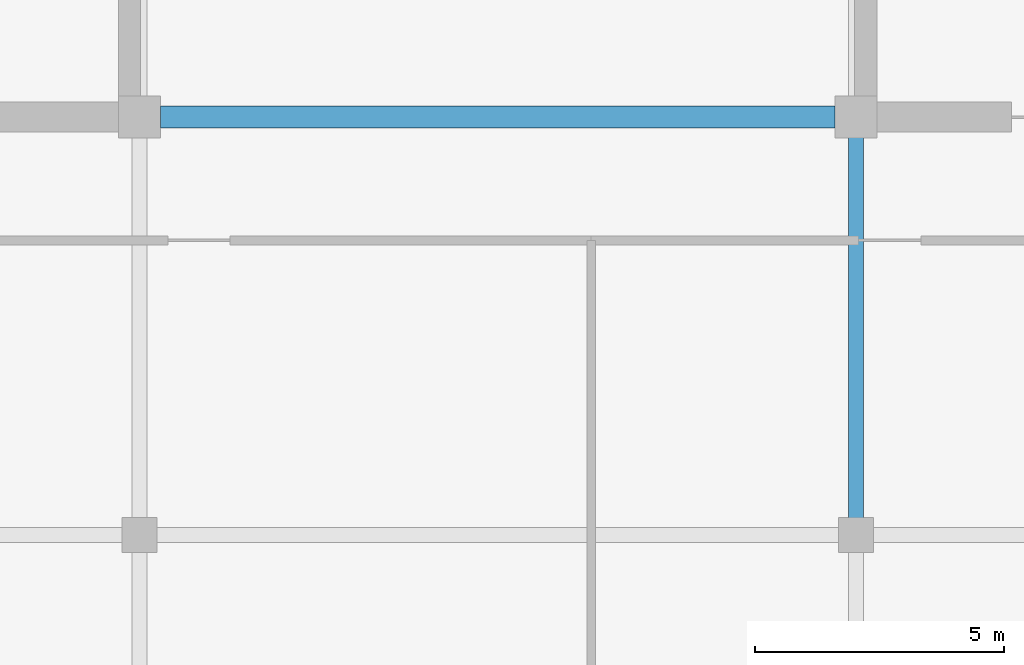
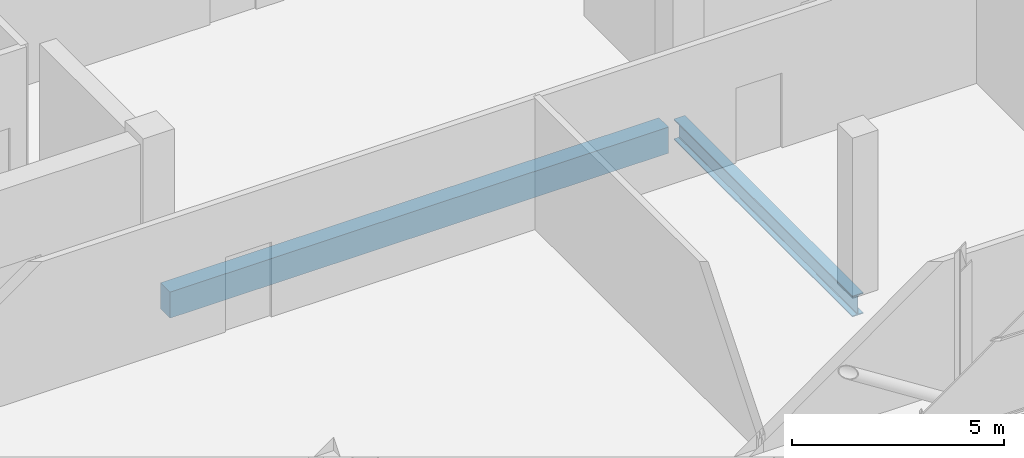
# One storey, part 10 of 26: 2 beams.
"""IFC4 building model written with IfcOpenShell, lengths in metres."""

from ifc_helpers import new_model, si_unit, direction, frame, origin, origin_2d, place, context, subcontext, project, spatial, rectangle, i_section, extrude, material, material_profile, profile_set, type_object, element, save


model = new_model("IFC4")

# Units and contexts
model_context = context("Model", 3, precision=1e-05, world=origin(), true_north=direction((0.0, 1.0)))
body_context = subcontext(model_context, "Body", "Model", "MODEL_VIEW")
ifc_project = project(units=[si_unit("LENGTHUNIT", "METRE"), si_unit("AREAUNIT", "SQUARE_METRE"), si_unit("VOLUMEUNIT", "CUBIC_METRE"), si_unit("PLANEANGLEUNIT", "RADIAN"), si_unit("MASSUNIT", "GRAM", prefix="KILO")], contexts=[model_context])

# Site, building, storey
site_placement = place(None, origin())
site = spatial("IfcSite", under=ifc_project, at=site_placement, CompositionType="ELEMENT")
building_placement = place(site_placement, origin())
building = spatial("IfcBuilding", under=site, at=building_placement, Name="Zarnakvel Exchange Tower", CompositionType="ELEMENT")
storey_placement = place(building_placement, frame((0.0, 0.0, 285.39990234375)))
storey = spatial("IfcBuildingStorey", under=building, at=storey_placement, Name="Crown L80", CompositionType="ELEMENT", Elevation=285.39990234375)

# Beams
ifc_material_1 = material(Name="Concrete C50/60", Category="concrete")
ifc_material_profile_1 = material_profile(ifc_material_1, rectangle(XDim=0.449951171875, YDim=0.75, at=origin_2d()))
ifc_profile_set_1 = profile_set([ifc_material_profile_1], Name="Concrete C50/60")
beam_type_1 = type_object("IfcBeamType", Name="CB-03", PredefinedType="LINTEL", material=ifc_profile_set_1)
beam_1_placement = place(storey_placement, frame((-6.77490234375, -1.199951171875, -0.594970703125), z_axis=(1.0, 0.0, 0.0), x_axis=(0.0, 1.0, 0.0)))
element("IfcBeam", 1, at=beam_1_placement, inside=storey, type_object=beam_type_1, Name="Crown L80 Rear Core South Coupling Beam (CB-03)", PredefinedType="LINTEL", context=body_context, shape_type="SweptSolid", body=[
    extrude(rectangle(XDim=0.449951171875, YDim=0.75, at=origin_2d()), origin(), (0.0, 0.0, 1.0), 13.5498046875),
])
ifc_material_2 = material(Name="Steel S355", Category="steel")
ifc_material_profile_2 = material_profile(ifc_material_2, i_section(OverallWidth=0.300048828125, OverallDepth=0.60009765625, WebThickness=0.015380859375, FlangeThickness=0.030029296875, FilletRadius=0.027099609375, at=origin_2d()))
ifc_profile_set_2 = profile_set([ifc_material_profile_2], Name="Steel S355")
beam_type_2 = type_object("IfcBeamType", Name="G-04", PredefinedType="BEAM", material=ifc_profile_set_2)
beam_2_placement = place(storey_placement, frame((7.199951171875, -9.60009765625, -0.52001953125), z_axis=(0.0, 1.0, 0.0), x_axis=(-1.0, 0.0, 0.0)))
element("IfcBeam", 2, at=beam_2_placement, inside=storey, type_object=beam_type_2, Name="Crown L80 Tower N-S Frame Beam", PredefinedType="BEAM", context=body_context, shape_type="SweptSolid", body=[
    extrude(i_section(OverallWidth=0.300048828125, OverallDepth=0.60009765625, WebThickness=0.015380859375, FlangeThickness=0.030029296875, FilletRadius=0.027099609375, at=origin_2d()), origin(), (0.0, 0.0, 1.0), 8.400146484375),
])

save(model, "model.ifc")
